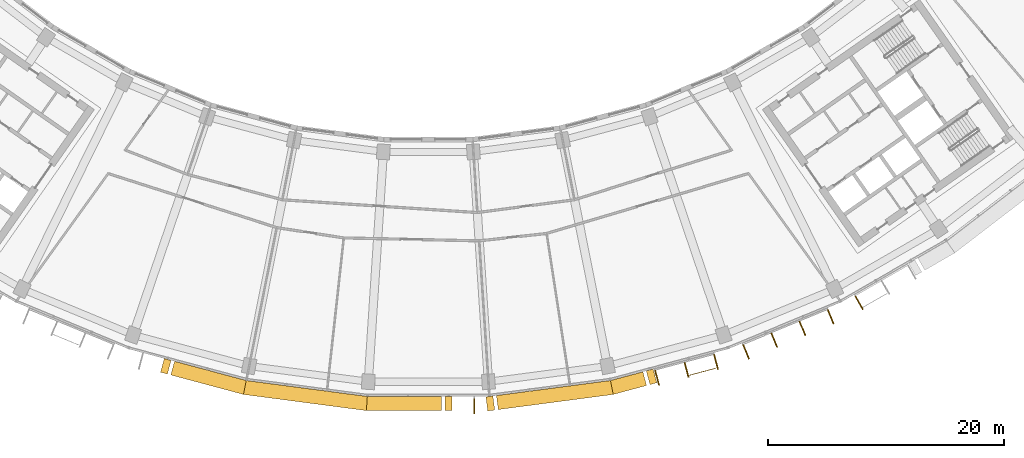
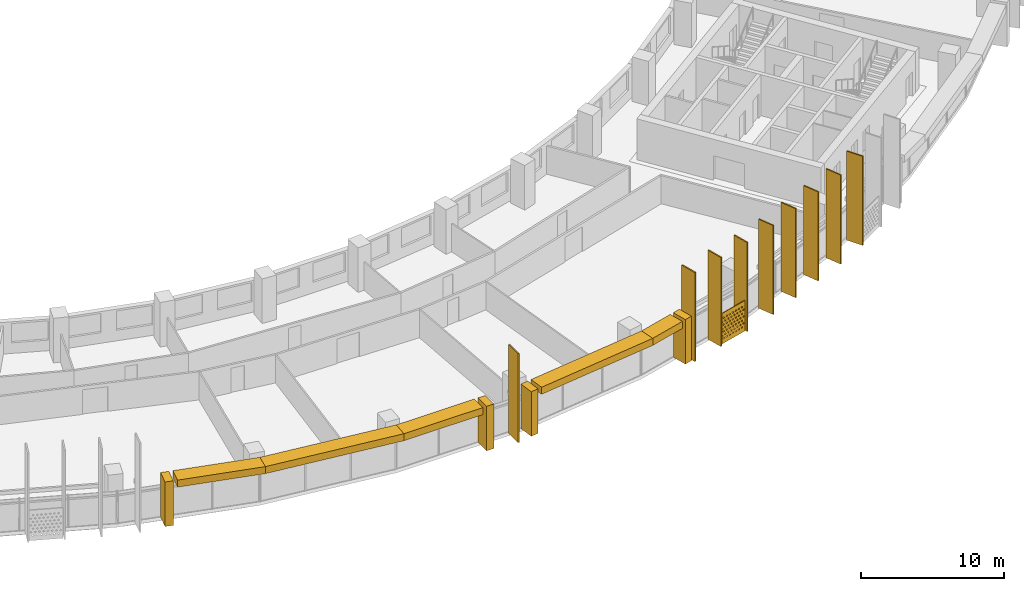
# One storey, part 25 of 27: 19 shading devices.
"""IFC4 building model written with IfcOpenShell, lengths in metres."""

import ifcopenshell
import ifcopenshell.guid

model = None  # the IFC model being written
_history = None  # IfcOwnerHistory: only IFC2X3 demands one
_inside = {}  # id of a spatial element -> (the spatial element, [elements in it])
_under = {}  # id of a project, library or spatial element -> (it, [spatial elements below it])
_declared = {}  # id of a project -> (the project, [libraries it declares])
_typed = {}  # id of a type object -> (the type object, [elements of that type])
_made_of = {}  # id of a material, layer set ... -> (it, [elements and type objects made of it])


def new_model(schema):
    """Start an empty IFC model of exactly this schema.

    Asked for "IFC4X3", IfcOpenShell would pick the latest addendum, in which some entities
    have other attributes; the version numbers below select the first issue.
    IFC2X3 requires an IfcOwnerHistory on every rooted entity: one is made here for all.
    """
    global model, _history
    if schema == "IFC4X3":
        model = ifcopenshell.file(schema_version=(4, 3, 0, 0))
    else:
        model = ifcopenshell.file(schema=schema)
    _inside.clear()
    _under.clear()
    _declared.clear()
    _typed.clear()
    _made_of.clear()
    _history = None
    if model.schema == "IFC2X3":
        org = make("IfcOrganization", Name="unknown")
        user = make(
            "IfcPersonAndOrganization",
            ThePerson=make("IfcPerson", FamilyName="unknown"),
            TheOrganization=org,
        )
        app = make(
            "IfcApplication",
            ApplicationDeveloper=org,
            Version="unknown",
            ApplicationFullName="unknown",
            ApplicationIdentifier="unknown",
        )
        _history = make(
            "IfcOwnerHistory",
            OwningUser=user,
            OwningApplication=app,
            ChangeAction="ADDED",
            CreationDate=0,
        )
    return model


def make(cls, **values):
    """One entity of the class cls with the attributes given. An attribute that is None is left unset."""
    return model.create_entity(
        cls, **{name: value for name, value in values.items() if value is not None}
    )


def rooted(cls, **values):
    """An entity with a GlobalId (a new one), such as an element, a storey or a relation."""
    return make(cls, GlobalId=ifcopenshell.guid.new(), OwnerHistory=_history, **values)


def si_unit(unit_type, name, prefix=None):
    """IfcSIUnit, for example si_unit("LENGTHUNIT", "METRE", prefix="MILLI")."""
    return make("IfcSIUnit", UnitType=unit_type, Prefix=prefix, Name=name)


def assignment(units):
    """IfcUnitAssignment: the units of a project."""
    return None if units is None else make("IfcUnitAssignment", Units=units)


def point(xyz):
    """IfcCartesianPoint."""
    return None if xyz is None else make("IfcCartesianPoint", Coordinates=xyz)


def direction(xyz):
    """IfcDirection."""
    return None if xyz is None else make("IfcDirection", DirectionRatios=xyz)


def frame(location, z_axis=None, x_axis=None):
    """IfcAxis2Placement3D, a coordinate frame: its origin and axes. An axis left out is left unset."""
    return make(
        "IfcAxis2Placement3D",
        Location=point(location),
        Axis=direction(z_axis),
        RefDirection=direction(x_axis),
    )


def frame_2d(location, x_axis=None):
    """IfcAxis2Placement2D, a coordinate frame in the plane: its origin and x axis."""
    return make(
        "IfcAxis2Placement2D", Location=point(location), RefDirection=direction(x_axis)
    )


def origin():
    """The frame at (0, 0, 0) with its axes left unset."""
    return frame((0.0, 0.0, 0.0))


def origin_2d():
    """The frame at (0, 0) in the plane with its x axis left unset."""
    return frame_2d((0.0, 0.0))


def place(relative_to, where):
    """IfcLocalPlacement: puts the frame where relative to a parent placement (None: the world)."""
    return make(
        "IfcLocalPlacement", PlacementRelTo=relative_to, RelativePlacement=where
    )


def context(
    kind, dimensions, precision=None, world=None, true_north=None, identifier=None
):
    """IfcGeometricRepresentationContext, for example the 3D "Model" context."""
    return make(
        "IfcGeometricRepresentationContext",
        ContextIdentifier=identifier,
        ContextType=kind,
        CoordinateSpaceDimension=dimensions,
        Precision=precision,
        WorldCoordinateSystem=world,
        TrueNorth=true_north,
    )


def subcontext(parent, identifier, kind, view, scale=None):
    """IfcGeometricRepresentationSubContext, for example "Body" below "Model"."""
    return make(
        "IfcGeometricRepresentationSubContext",
        ContextIdentifier=identifier,
        ContextType=kind,
        ParentContext=parent,
        TargetScale=scale,
        TargetView=view,
    )


def project(units=None, contexts=None):
    """IfcProject with its units and contexts."""
    return rooted(
        "IfcProject",
        Name="project",
        RepresentationContexts=contexts,
        UnitsInContext=assignment(units),
    )


def spatial(cls, under=None, at=None, **own):
    """A site, building, storey or space (cls), placed at a placement, below another one or the project."""
    s = rooted(cls, ObjectPlacement=at, **own)
    if under is not None:
        _under.setdefault(under.id(), (under, []))[1].append(s)
    return s


def polyline(points):
    """IfcPolyline through the points."""
    return make("IfcPolyline", Points=[point(p) for p in points])


def profile(cls, at=None, kind="AREA", **sizes):
    """A parametric profile (cls). Its sizes go by their IFC names, for example OverallWidth=200.0."""
    return make(cls, ProfileType=kind, Position=at, **sizes)


def rectangle(**sizes):
    """IfcRectangleProfileDef."""
    return profile("IfcRectangleProfileDef", **sizes)


def outline(outer, holes=None, kind="AREA"):
    """IfcArbitraryClosedProfileDef: a profile drawn as a closed curve; with holes, ...WithVoids."""
    if holes is None:
        return make("IfcArbitraryClosedProfileDef", ProfileType=kind, OuterCurve=outer)
    return make(
        "IfcArbitraryProfileDefWithVoids",
        ProfileType=kind,
        OuterCurve=outer,
        InnerCurves=holes,
    )


def extrude(swept, where, along, depth):
    """IfcExtrudedAreaSolid: the profile swept, set in the frame where, extruded along a direction by depth."""
    return make(
        "IfcExtrudedAreaSolid",
        SweptArea=swept,
        Position=where,
        ExtrudedDirection=direction(along),
        Depth=depth,
    )


def shape(context_of_items, identifier, shape_type, items):
    """IfcShapeRepresentation: the items that make up one representation, for example the "Body"."""
    return make(
        "IfcShapeRepresentation",
        ContextOfItems=context_of_items,
        RepresentationIdentifier=identifier,
        RepresentationType=shape_type,
        Items=items,
    )


def material(Name=None, Category=None):
    """IfcMaterial."""
    return make("IfcMaterial", Name=Name, Category=Category)


def material_profile(
    of_material, cross_section, Name=None, Category=None, Priority=None
):
    """IfcMaterialProfile: a cross section and its material."""
    return make(
        "IfcMaterialProfile",
        Name=Name,
        Material=of_material,
        Profile=cross_section,
        Priority=Priority,
        Category=Category,
    )


def profile_set(profiles, Name=None, composite=None):
    """IfcMaterialProfileSet."""
    return make(
        "IfcMaterialProfileSet",
        Name=Name,
        MaterialProfiles=profiles,
        CompositeProfile=composite,
    )


def made_of(thing, what):
    """Note that an element or type object is made of a material, layer set ...; save() writes the relation."""
    if what is not None:
        _made_of.setdefault(what.id(), (what, []))[1].append(thing)
    return thing


def type_object(cls, material=None, **own):
    """A type object (cls), such as IfcWallType, which elements share."""
    return made_of(rooted(cls, **own), material)


def element(
    cls,
    number,
    at=None,
    inside=None,
    cuts=None,
    type_object=None,
    material=None,
    context=None,
    identifier="Body",
    shape_type=None,
    held_by="IfcProductDefinitionShape",
    body=None,
    shapes=None,
    **own,
):
    """One element of the class cls, such as IfcWall. Its Tag is "e" and its number.

    at: its placement. inside: the storey or other place that contains it. cuts: it is an
    opening in that element (IfcRelVoidsElement). A single representation is given by context,
    identifier, shape_type and body (its items); several are given by shapes. held_by: the class
    of the entity that holds the representations. save() writes the other relations.
    """
    e = rooted(cls, Tag="e%d" % number, ObjectPlacement=at, **own)
    if body is not None:
        shapes = [shape(context, identifier, shape_type, body)]
    if shapes is not None:
        e.Representation = make(held_by, Representations=shapes)
    if inside is not None:
        _inside.setdefault(inside.id(), (inside, []))[1].append(e)
    if cuts is not None:
        rooted(
            "IfcRelVoidsElement", RelatingBuildingElement=cuts, RelatedOpeningElement=e
        )
    if type_object is not None:
        _typed.setdefault(type_object.id(), (type_object, []))[1].append(e)
    return made_of(e, material)


def aggregate(whole, parts):
    """IfcRelAggregates: a whole, such as a stair, and the parts it consists of."""
    return rooted("IfcRelAggregates", RelatingObject=whole, RelatedObjects=parts)


def save(model, path):
    """Write the relations noted so far, then the file.

    IfcRelAggregates (storeys below a building ...), IfcRelContainedInSpatialStructure (elements
    in a storey), IfcRelDefinesByType, IfcRelAssociatesMaterial and IfcRelDeclares: one each for
    every whole, place, type object, material and project.
    """
    for whole, parts in _under.values():
        aggregate(whole, parts)
    for where, things in _inside.values():
        rooted(
            "IfcRelContainedInSpatialStructure",
            RelatedElements=things,
            RelatingStructure=where,
        )
    for kind, things in _typed.values():
        rooted("IfcRelDefinesByType", RelatedObjects=things, RelatingType=kind)
    for what, things in _made_of.values():
        rooted("IfcRelAssociatesMaterial", RelatedObjects=things, RelatingMaterial=what)
    for by, libraries in _declared.values():
        rooted("IfcRelDeclares", RelatingContext=by, RelatedDefinitions=libraries)
    model.write(path)


model = new_model("IFC4")

# Units and contexts
model_context = context("Model", 3, precision=1e-05, world=origin(), true_north=direction((0.0, 1.0)))
body_context = subcontext(model_context, "Body", "Model", "MODEL_VIEW")
ifc_project = project(units=[si_unit("LENGTHUNIT", "METRE"), si_unit("AREAUNIT", "SQUARE_METRE"), si_unit("VOLUMEUNIT", "CUBIC_METRE"), si_unit("PLANEANGLEUNIT", "RADIAN"), si_unit("MASSUNIT", "GRAM", prefix="KILO")], contexts=[model_context])

# Site, building, storey
site_placement = place(None, origin())
site = spatial("IfcSite", under=ifc_project, at=site_placement, CompositionType="ELEMENT")
building_placement = place(site_placement, origin())
building = spatial("IfcBuilding", under=site, at=building_placement, Name="Qamariyya Broadcast Tower", CompositionType="ELEMENT")
storey_placement = place(building_placement, frame((0.0, 0.0, 187.300048828125)))
storey = spatial("IfcBuildingStorey", under=building, at=storey_placement, Name="L44", CompositionType="ELEMENT", Elevation=187.300048828125)

# Shading devices
ifc_material_1 = material(Name="Steel S355 powder coated deep red", Category="steel")
shading_device_type_1 = type_object("IfcShadingDeviceType", Name="Deep red frame, powder coated steel box section", PredefinedType="USERDEFINED", material=ifc_material_1)
shading_device_1_placement = place(storey_placement, origin())
element("IfcShadingDevice", 1, at=shading_device_1_placement, inside=storey, type_object=shading_device_type_1, Name="e-frm-B3-F2-posta-L44", ObjectType="FRAME", PredefinedType="USERDEFINED", context=body_context, shape_type="SweptSolid", body=[
    extrude(outline(polyline([(-22.356201171875, -75.621337890625), (-22.6669921875, -76.780517578125), (-22.08740234375, -76.935791015625), (-21.77685546875, -75.776611328125), (-22.356201171875, -75.621337890625)])), origin(), (0.0, 0.0, 1.0), 3.800048828125),
])
shading_device_2_placement = place(storey_placement, origin())
element("IfcShadingDevice", 2, at=shading_device_2_placement, inside=storey, type_object=shading_device_type_1, Name="e-frm-B3-F2-postb-L44", ObjectType="FRAME", PredefinedType="USERDEFINED", context=body_context, shape_type="SweptSolid", body=[
    extrude(outline(polyline([(1.42236328125, -78.830810546875), (1.42236328125, -80.03076171875), (2.022216796875, -80.03076171875), (2.022216796875, -78.830810546875), (1.42236328125, -78.830810546875)])), origin(), (0.0, 0.0, 1.0), 3.800048828125),
])
shading_device_3_placement = place(storey_placement, frame((0.0, 0.0, 3.199951171875)))
element("IfcShadingDevice", 3, at=shading_device_3_placement, inside=storey, type_object=shading_device_type_1, Name="e-frm-B3-F2-top0", ObjectType="FRAME", PredefinedType="USERDEFINED", context=body_context, shape_type="SweptSolid", body=[
    extrude(outline(polyline([(-21.487060546875, -75.854248046875), (-21.797607421875, -77.013427734375), (-15.646728515625, -78.66162109375), (-15.412109375, -77.48193359375), (-21.487060546875, -75.854248046875)])), origin(), (0.0, 0.0, 1.0), 0.60009765625),
])
shading_device_4_placement = place(storey_placement, frame((0.0, 0.0, 3.199951171875)))
element("IfcShadingDevice", 4, at=shading_device_4_placement, inside=storey, type_object=shading_device_type_1, Name="e-frm-B3-F2-top1", ObjectType="FRAME", PredefinedType="USERDEFINED", context=body_context, shape_type="SweptSolid", body=[
    extrude(outline(polyline([(-15.412109375, -77.48193359375), (-15.646728515625, -78.66162109375), (-5.24560546875, -80.03076171875), (-5.166748046875, -78.830810546875), (-15.412109375, -77.48193359375)])), origin(), (0.0, 0.0, 1.0), 0.60009765625),
])
shading_device_5_placement = place(storey_placement, frame((0.0, 0.0, 3.199951171875)))
element("IfcShadingDevice", 5, at=shading_device_5_placement, inside=storey, type_object=shading_device_type_1, Name="e-frm-B3-F2-top2", ObjectType="FRAME", PredefinedType="USERDEFINED", context=body_context, shape_type="SweptSolid", body=[
    extrude(outline(polyline([(-5.166748046875, -78.830810546875), (-5.24560546875, -80.03076171875), (1.122314453125, -80.03076171875), (1.122314453125, -78.830810546875), (-5.166748046875, -78.830810546875)])), origin(), (0.0, 0.0, 1.0), 0.60009765625),
])
shading_device_6_placement = place(storey_placement, origin())
element("IfcShadingDevice", 6, at=shading_device_6_placement, inside=storey, type_object=shading_device_type_1, Name="e-frm-B3-F3-posta-L44", ObjectType="FRAME", PredefinedType="USERDEFINED", context=body_context, shape_type="SweptSolid", body=[
    extrude(outline(polyline([(4.869384765625, -78.8701171875), (5.026123046875, -80.059814453125), (5.620849609375, -79.9814453125), (5.46435546875, -78.791748046875), (4.869384765625, -78.8701171875)])), origin(), (0.0, 0.0, 1.0), 3.800048828125),
])
shading_device_7_placement = place(storey_placement, origin())
element("IfcShadingDevice", 7, at=shading_device_7_placement, inside=storey, type_object=shading_device_type_1, Name="e-frm-B3-F3-postb-L44", ObjectType="FRAME", PredefinedType="USERDEFINED", context=body_context, shape_type="SweptSolid", body=[
    extrude(outline(polyline([(18.449462890625, -76.668212890625), (18.76025390625, -77.827392578125), (19.339599609375, -77.671875), (19.029052734375, -76.512939453125), (18.449462890625, -76.668212890625)])), origin(), (0.0, 0.0, 1.0), 3.800048828125),
])
shading_device_8_placement = place(storey_placement, frame((0.0, 0.0, 3.199951171875)))
element("IfcShadingDevice", 8, at=shading_device_8_placement, inside=storey, type_object=shading_device_type_1, Name="e-frm-B3-F3-top0", ObjectType="FRAME", PredefinedType="USERDEFINED", context=body_context, shape_type="SweptSolid", body=[
    extrude(outline(polyline([(5.76171875, -78.75244140625), (5.91845703125, -79.9423828125), (15.646728515625, -78.66162109375), (15.412109375, -77.48193359375), (5.76171875, -78.75244140625)])), origin(), (0.0, 0.0, 1.0), 0.60009765625),
])
shading_device_9_placement = place(storey_placement, frame((0.0, 0.0, 3.199951171875)))
element("IfcShadingDevice", 9, at=shading_device_9_placement, inside=storey, type_object=shading_device_type_1, Name="e-frm-B3-F3-top1", ObjectType="FRAME", PredefinedType="USERDEFINED", context=body_context, shape_type="SweptSolid", body=[
    extrude(outline(polyline([(15.412109375, -77.48193359375), (15.646728515625, -78.66162109375), (18.470458984375, -77.905029296875), (18.15966796875, -76.745849609375), (15.412109375, -77.48193359375)])), origin(), (0.0, 0.0, 1.0), 0.60009765625),
])
ifc_material_2 = material(Name="Perforated glazed terracotta", Category="masonry")
ifc_material_profile_1 = material_profile(ifc_material_2, outline(polyline([(-1.199951171875, -1.300048828125), (1.199951171875, -1.300048828125), (1.199951171875, 1.300048828125), (-1.199951171875, 1.300048828125), (-1.199951171875, -1.300048828125)]), holes=[polyline([(-0.81494140625, -0.86669921875), (-0.89990234375, -0.78173828125), (-0.985107421875, -0.86669921875), (-0.89990234375, -0.95166015625), (-0.81494140625, -0.86669921875)]), polyline([(-0.514892578125, -0.86669921875), (-0.60009765625, -0.78173828125), (-0.68505859375, -0.86669921875), (-0.60009765625, -0.95166015625), (-0.514892578125, -0.86669921875)]), polyline([(-0.215087890625, -0.86669921875), (-0.300048828125, -0.78173828125), (-0.385009765625, -0.86669921875), (-0.300048828125, -0.95166015625), (-0.215087890625, -0.86669921875)]), polyline([(0.0849609375, -0.86669921875), (0.0, -0.78173828125), (-0.0849609375, -0.86669921875), (0.0, -0.95166015625), (0.0849609375, -0.86669921875)]), polyline([(0.385009765625, -0.86669921875), (0.300048828125, -0.78173828125), (0.215087890625, -0.86669921875), (0.300048828125, -0.95166015625), (0.385009765625, -0.86669921875)]), polyline([(0.68505859375, -0.86669921875), (0.60009765625, -0.78173828125), (0.514892578125, -0.86669921875), (0.60009765625, -0.95166015625), (0.68505859375, -0.86669921875)]), polyline([(0.985107421875, -0.86669921875), (0.89990234375, -0.78173828125), (0.81494140625, -0.86669921875), (0.89990234375, -0.95166015625), (0.985107421875, -0.86669921875)]), polyline([(-0.965087890625, -0.577880859375), (-1.050048828125, -0.49267578125), (-1.135009765625, -0.577880859375), (-1.050048828125, -0.662841796875), (-0.965087890625, -0.577880859375)]), polyline([(-0.6650390625, -0.577880859375), (-0.75, -0.49267578125), (-0.8349609375, -0.577880859375), (-0.75, -0.662841796875), (-0.6650390625, -0.577880859375)]), polyline([(-0.364990234375, -0.577880859375), (-0.449951171875, -0.49267578125), (-0.534912109375, -0.577880859375), (-0.449951171875, -0.662841796875), (-0.364990234375, -0.577880859375)]), polyline([(-0.06494140625, -0.577880859375), (-0.14990234375, -0.49267578125), (-0.235107421875, -0.577880859375), (-0.14990234375, -0.662841796875), (-0.06494140625, -0.577880859375)]), polyline([(0.235107421875, -0.577880859375), (0.14990234375, -0.49267578125), (0.06494140625, -0.577880859375), (0.14990234375, -0.662841796875), (0.235107421875, -0.577880859375)]), polyline([(0.534912109375, -0.577880859375), (0.449951171875, -0.49267578125), (0.364990234375, -0.577880859375), (0.449951171875, -0.662841796875), (0.534912109375, -0.577880859375)]), polyline([(0.8349609375, -0.577880859375), (0.75, -0.49267578125), (0.6650390625, -0.577880859375), (0.75, -0.662841796875), (0.8349609375, -0.577880859375)]), polyline([(1.135009765625, -0.577880859375), (1.050048828125, -0.49267578125), (0.965087890625, -0.577880859375), (1.050048828125, -0.662841796875), (1.135009765625, -0.577880859375)]), polyline([(-0.81494140625, -0.288818359375), (-0.89990234375, -0.203857421875), (-0.985107421875, -0.288818359375), (-0.89990234375, -0.373779296875), (-0.81494140625, -0.288818359375)]), polyline([(-0.514892578125, -0.288818359375), (-0.60009765625, -0.203857421875), (-0.68505859375, -0.288818359375), (-0.60009765625, -0.373779296875), (-0.514892578125, -0.288818359375)]), polyline([(-0.215087890625, -0.288818359375), (-0.300048828125, -0.203857421875), (-0.385009765625, -0.288818359375), (-0.300048828125, -0.373779296875), (-0.215087890625, -0.288818359375)]), polyline([(0.0849609375, -0.288818359375), (0.0, -0.203857421875), (-0.0849609375, -0.288818359375), (0.0, -0.373779296875), (0.0849609375, -0.288818359375)]), polyline([(0.385009765625, -0.288818359375), (0.300048828125, -0.203857421875), (0.215087890625, -0.288818359375), (0.300048828125, -0.373779296875), (0.385009765625, -0.288818359375)]), polyline([(0.68505859375, -0.288818359375), (0.60009765625, -0.203857421875), (0.514892578125, -0.288818359375), (0.60009765625, -0.373779296875), (0.68505859375, -0.288818359375)]), polyline([(0.985107421875, -0.288818359375), (0.89990234375, -0.203857421875), (0.81494140625, -0.288818359375), (0.89990234375, -0.373779296875), (0.985107421875, -0.288818359375)]), polyline([(-0.965087890625, 0.0), (-1.050048828125, 0.0849609375), (-1.135009765625, 0.0), (-1.050048828125, -0.0849609375), (-0.965087890625, 0.0)]), polyline([(-0.6650390625, 0.0), (-0.75, 0.0849609375), (-0.8349609375, 0.0), (-0.75, -0.0849609375), (-0.6650390625, 0.0)]), polyline([(-0.364990234375, 0.0), (-0.449951171875, 0.0849609375), (-0.534912109375, 0.0), (-0.449951171875, -0.0849609375), (-0.364990234375, 0.0)]), polyline([(-0.06494140625, 0.0), (-0.14990234375, 0.0849609375), (-0.235107421875, 0.0), (-0.14990234375, -0.0849609375), (-0.06494140625, 0.0)]), polyline([(0.235107421875, 0.0), (0.14990234375, 0.0849609375), (0.06494140625, 0.0), (0.14990234375, -0.0849609375), (0.235107421875, 0.0)]), polyline([(0.534912109375, 0.0), (0.449951171875, 0.0849609375), (0.364990234375, 0.0), (0.449951171875, -0.0849609375), (0.534912109375, 0.0)]), polyline([(0.8349609375, 0.0), (0.75, 0.0849609375), (0.6650390625, 0.0), (0.75, -0.0849609375), (0.8349609375, 0.0)]), polyline([(1.135009765625, 0.0), (1.050048828125, 0.0849609375), (0.965087890625, 0.0), (1.050048828125, -0.0849609375), (1.135009765625, 0.0)]), polyline([(-0.81494140625, 0.288818359375), (-0.89990234375, 0.373779296875), (-0.985107421875, 0.288818359375), (-0.89990234375, 0.203857421875), (-0.81494140625, 0.288818359375)]), polyline([(-0.514892578125, 0.288818359375), (-0.60009765625, 0.373779296875), (-0.68505859375, 0.288818359375), (-0.60009765625, 0.203857421875), (-0.514892578125, 0.288818359375)]), polyline([(-0.215087890625, 0.288818359375), (-0.300048828125, 0.373779296875), (-0.385009765625, 0.288818359375), (-0.300048828125, 0.203857421875), (-0.215087890625, 0.288818359375)]), polyline([(0.0849609375, 0.288818359375), (0.0, 0.373779296875), (-0.0849609375, 0.288818359375), (0.0, 0.203857421875), (0.0849609375, 0.288818359375)]), polyline([(0.385009765625, 0.288818359375), (0.300048828125, 0.373779296875), (0.215087890625, 0.288818359375), (0.300048828125, 0.203857421875), (0.385009765625, 0.288818359375)]), polyline([(0.68505859375, 0.288818359375), (0.60009765625, 0.373779296875), (0.514892578125, 0.288818359375), (0.60009765625, 0.203857421875), (0.68505859375, 0.288818359375)]), polyline([(0.985107421875, 0.288818359375), (0.89990234375, 0.373779296875), (0.81494140625, 0.288818359375), (0.89990234375, 0.203857421875), (0.985107421875, 0.288818359375)]), polyline([(-0.965087890625, 0.577880859375), (-1.050048828125, 0.662841796875), (-1.135009765625, 0.577880859375), (-1.050048828125, 0.49267578125), (-0.965087890625, 0.577880859375)]), polyline([(-0.6650390625, 0.577880859375), (-0.75, 0.662841796875), (-0.8349609375, 0.577880859375), (-0.75, 0.49267578125), (-0.6650390625, 0.577880859375)]), polyline([(-0.364990234375, 0.577880859375), (-0.449951171875, 0.662841796875), (-0.534912109375, 0.577880859375), (-0.449951171875, 0.49267578125), (-0.364990234375, 0.577880859375)]), polyline([(-0.06494140625, 0.577880859375), (-0.14990234375, 0.662841796875), (-0.235107421875, 0.577880859375), (-0.14990234375, 0.49267578125), (-0.06494140625, 0.577880859375)]), polyline([(0.235107421875, 0.577880859375), (0.14990234375, 0.662841796875), (0.06494140625, 0.577880859375), (0.14990234375, 0.49267578125), (0.235107421875, 0.577880859375)]), polyline([(0.534912109375, 0.577880859375), (0.449951171875, 0.662841796875), (0.364990234375, 0.577880859375), (0.449951171875, 0.49267578125), (0.534912109375, 0.577880859375)]), polyline([(0.8349609375, 0.577880859375), (0.75, 0.662841796875), (0.6650390625, 0.577880859375), (0.75, 0.49267578125), (0.8349609375, 0.577880859375)]), polyline([(1.135009765625, 0.577880859375), (1.050048828125, 0.662841796875), (0.965087890625, 0.577880859375), (1.050048828125, 0.49267578125), (1.135009765625, 0.577880859375)]), polyline([(-0.81494140625, 0.86669921875), (-0.89990234375, 0.95166015625), (-0.985107421875, 0.86669921875), (-0.89990234375, 0.78173828125), (-0.81494140625, 0.86669921875)]), polyline([(-0.514892578125, 0.86669921875), (-0.60009765625, 0.95166015625), (-0.68505859375, 0.86669921875), (-0.60009765625, 0.78173828125), (-0.514892578125, 0.86669921875)]), polyline([(-0.215087890625, 0.86669921875), (-0.300048828125, 0.95166015625), (-0.385009765625, 0.86669921875), (-0.300048828125, 0.78173828125), (-0.215087890625, 0.86669921875)]), polyline([(0.0849609375, 0.86669921875), (0.0, 0.95166015625), (-0.0849609375, 0.86669921875), (0.0, 0.78173828125), (0.0849609375, 0.86669921875)]), polyline([(0.385009765625, 0.86669921875), (0.300048828125, 0.95166015625), (0.215087890625, 0.86669921875), (0.300048828125, 0.78173828125), (0.385009765625, 0.86669921875)]), polyline([(0.68505859375, 0.86669921875), (0.60009765625, 0.95166015625), (0.514892578125, 0.86669921875), (0.60009765625, 0.78173828125), (0.68505859375, 0.86669921875)]), polyline([(0.985107421875, 0.86669921875), (0.89990234375, 0.95166015625), (0.81494140625, 0.86669921875), (0.89990234375, 0.78173828125), (0.985107421875, 0.86669921875)])]))
ifc_profile_set_1 = profile_set([ifc_material_profile_1], Name="Perforated glazed terracotta")
shading_device_type_2 = type_object("IfcShadingDeviceType", Name="Perforated terracotta screen 2400 x 2600", PredefinedType="USERDEFINED", material=ifc_profile_set_1)
shading_device_10_placement = place(storey_placement, frame((23.186767578125, -76.713623046875, 1.349853515625), z_axis=(0.256901156343, -0.966437683387, 0.0), x_axis=(0.966437683387, 0.256901156343, 0.0)))
element("IfcShadingDevice", 10, at=shading_device_10_placement, inside=storey, type_object=shading_device_type_2, Name="e-scr-L44-09-2", ObjectType="SCREEN", PredefinedType="USERDEFINED", context=body_context, shape_type="SweptSolid", body=[
    extrude(outline(polyline([(-1.199951171875, -1.300048828125), (1.199951171875, -1.300048828125), (1.199951171875, 1.300048828125), (-1.199951171875, 1.300048828125), (-1.199951171875, -1.300048828125)]), holes=[polyline([(-0.81494140625, -0.86669921875), (-0.89990234375, -0.78173828125), (-0.985107421875, -0.86669921875), (-0.89990234375, -0.95166015625), (-0.81494140625, -0.86669921875)]), polyline([(-0.514892578125, -0.86669921875), (-0.60009765625, -0.78173828125), (-0.68505859375, -0.86669921875), (-0.60009765625, -0.95166015625), (-0.514892578125, -0.86669921875)]), polyline([(-0.215087890625, -0.86669921875), (-0.300048828125, -0.78173828125), (-0.385009765625, -0.86669921875), (-0.300048828125, -0.95166015625), (-0.215087890625, -0.86669921875)]), polyline([(0.0849609375, -0.86669921875), (0.0, -0.78173828125), (-0.0849609375, -0.86669921875), (0.0, -0.95166015625), (0.0849609375, -0.86669921875)]), polyline([(0.385009765625, -0.86669921875), (0.300048828125, -0.78173828125), (0.215087890625, -0.86669921875), (0.300048828125, -0.95166015625), (0.385009765625, -0.86669921875)]), polyline([(0.68505859375, -0.86669921875), (0.60009765625, -0.78173828125), (0.514892578125, -0.86669921875), (0.60009765625, -0.95166015625), (0.68505859375, -0.86669921875)]), polyline([(0.985107421875, -0.86669921875), (0.89990234375, -0.78173828125), (0.81494140625, -0.86669921875), (0.89990234375, -0.95166015625), (0.985107421875, -0.86669921875)]), polyline([(-0.965087890625, -0.577880859375), (-1.050048828125, -0.49267578125), (-1.135009765625, -0.577880859375), (-1.050048828125, -0.662841796875), (-0.965087890625, -0.577880859375)]), polyline([(-0.6650390625, -0.577880859375), (-0.75, -0.49267578125), (-0.8349609375, -0.577880859375), (-0.75, -0.662841796875), (-0.6650390625, -0.577880859375)]), polyline([(-0.364990234375, -0.577880859375), (-0.449951171875, -0.49267578125), (-0.534912109375, -0.577880859375), (-0.449951171875, -0.662841796875), (-0.364990234375, -0.577880859375)]), polyline([(-0.06494140625, -0.577880859375), (-0.14990234375, -0.49267578125), (-0.235107421875, -0.577880859375), (-0.14990234375, -0.662841796875), (-0.06494140625, -0.577880859375)]), polyline([(0.235107421875, -0.577880859375), (0.14990234375, -0.49267578125), (0.06494140625, -0.577880859375), (0.14990234375, -0.662841796875), (0.235107421875, -0.577880859375)]), polyline([(0.534912109375, -0.577880859375), (0.449951171875, -0.49267578125), (0.364990234375, -0.577880859375), (0.449951171875, -0.662841796875), (0.534912109375, -0.577880859375)]), polyline([(0.8349609375, -0.577880859375), (0.75, -0.49267578125), (0.6650390625, -0.577880859375), (0.75, -0.662841796875), (0.8349609375, -0.577880859375)]), polyline([(1.135009765625, -0.577880859375), (1.050048828125, -0.49267578125), (0.965087890625, -0.577880859375), (1.050048828125, -0.662841796875), (1.135009765625, -0.577880859375)]), polyline([(-0.81494140625, -0.288818359375), (-0.89990234375, -0.203857421875), (-0.985107421875, -0.288818359375), (-0.89990234375, -0.373779296875), (-0.81494140625, -0.288818359375)]), polyline([(-0.514892578125, -0.288818359375), (-0.60009765625, -0.203857421875), (-0.68505859375, -0.288818359375), (-0.60009765625, -0.373779296875), (-0.514892578125, -0.288818359375)]), polyline([(-0.215087890625, -0.288818359375), (-0.300048828125, -0.203857421875), (-0.385009765625, -0.288818359375), (-0.300048828125, -0.373779296875), (-0.215087890625, -0.288818359375)]), polyline([(0.0849609375, -0.288818359375), (0.0, -0.203857421875), (-0.0849609375, -0.288818359375), (0.0, -0.373779296875), (0.0849609375, -0.288818359375)]), polyline([(0.385009765625, -0.288818359375), (0.300048828125, -0.203857421875), (0.215087890625, -0.288818359375), (0.300048828125, -0.373779296875), (0.385009765625, -0.288818359375)]), polyline([(0.68505859375, -0.288818359375), (0.60009765625, -0.203857421875), (0.514892578125, -0.288818359375), (0.60009765625, -0.373779296875), (0.68505859375, -0.288818359375)]), polyline([(0.985107421875, -0.288818359375), (0.89990234375, -0.203857421875), (0.81494140625, -0.288818359375), (0.89990234375, -0.373779296875), (0.985107421875, -0.288818359375)]), polyline([(-0.965087890625, 0.0), (-1.050048828125, 0.0849609375), (-1.135009765625, 0.0), (-1.050048828125, -0.0849609375), (-0.965087890625, 0.0)]), polyline([(-0.6650390625, 0.0), (-0.75, 0.0849609375), (-0.8349609375, 0.0), (-0.75, -0.0849609375), (-0.6650390625, 0.0)]), polyline([(-0.364990234375, 0.0), (-0.449951171875, 0.0849609375), (-0.534912109375, 0.0), (-0.449951171875, -0.0849609375), (-0.364990234375, 0.0)]), polyline([(-0.06494140625, 0.0), (-0.14990234375, 0.0849609375), (-0.235107421875, 0.0), (-0.14990234375, -0.0849609375), (-0.06494140625, 0.0)]), polyline([(0.235107421875, 0.0), (0.14990234375, 0.0849609375), (0.06494140625, 0.0), (0.14990234375, -0.0849609375), (0.235107421875, 0.0)]), polyline([(0.534912109375, 0.0), (0.449951171875, 0.0849609375), (0.364990234375, 0.0), (0.449951171875, -0.0849609375), (0.534912109375, 0.0)]), polyline([(0.8349609375, 0.0), (0.75, 0.0849609375), (0.6650390625, 0.0), (0.75, -0.0849609375), (0.8349609375, 0.0)]), polyline([(1.135009765625, 0.0), (1.050048828125, 0.0849609375), (0.965087890625, 0.0), (1.050048828125, -0.0849609375), (1.135009765625, 0.0)]), polyline([(-0.81494140625, 0.288818359375), (-0.89990234375, 0.373779296875), (-0.985107421875, 0.288818359375), (-0.89990234375, 0.203857421875), (-0.81494140625, 0.288818359375)]), polyline([(-0.514892578125, 0.288818359375), (-0.60009765625, 0.373779296875), (-0.68505859375, 0.288818359375), (-0.60009765625, 0.203857421875), (-0.514892578125, 0.288818359375)]), polyline([(-0.215087890625, 0.288818359375), (-0.300048828125, 0.373779296875), (-0.385009765625, 0.288818359375), (-0.300048828125, 0.203857421875), (-0.215087890625, 0.288818359375)]), polyline([(0.0849609375, 0.288818359375), (0.0, 0.373779296875), (-0.0849609375, 0.288818359375), (0.0, 0.203857421875), (0.0849609375, 0.288818359375)]), polyline([(0.385009765625, 0.288818359375), (0.300048828125, 0.373779296875), (0.215087890625, 0.288818359375), (0.300048828125, 0.203857421875), (0.385009765625, 0.288818359375)]), polyline([(0.68505859375, 0.288818359375), (0.60009765625, 0.373779296875), (0.514892578125, 0.288818359375), (0.60009765625, 0.203857421875), (0.68505859375, 0.288818359375)]), polyline([(0.985107421875, 0.288818359375), (0.89990234375, 0.373779296875), (0.81494140625, 0.288818359375), (0.89990234375, 0.203857421875), (0.985107421875, 0.288818359375)]), polyline([(-0.965087890625, 0.577880859375), (-1.050048828125, 0.662841796875), (-1.135009765625, 0.577880859375), (-1.050048828125, 0.49267578125), (-0.965087890625, 0.577880859375)]), polyline([(-0.6650390625, 0.577880859375), (-0.75, 0.662841796875), (-0.8349609375, 0.577880859375), (-0.75, 0.49267578125), (-0.6650390625, 0.577880859375)]), polyline([(-0.364990234375, 0.577880859375), (-0.449951171875, 0.662841796875), (-0.534912109375, 0.577880859375), (-0.449951171875, 0.49267578125), (-0.364990234375, 0.577880859375)]), polyline([(-0.06494140625, 0.577880859375), (-0.14990234375, 0.662841796875), (-0.235107421875, 0.577880859375), (-0.14990234375, 0.49267578125), (-0.06494140625, 0.577880859375)]), polyline([(0.235107421875, 0.577880859375), (0.14990234375, 0.662841796875), (0.06494140625, 0.577880859375), (0.14990234375, 0.49267578125), (0.235107421875, 0.577880859375)]), polyline([(0.534912109375, 0.577880859375), (0.449951171875, 0.662841796875), (0.364990234375, 0.577880859375), (0.449951171875, 0.49267578125), (0.534912109375, 0.577880859375)]), polyline([(0.8349609375, 0.577880859375), (0.75, 0.662841796875), (0.6650390625, 0.577880859375), (0.75, 0.49267578125), (0.8349609375, 0.577880859375)]), polyline([(1.135009765625, 0.577880859375), (1.050048828125, 0.662841796875), (0.965087890625, 0.577880859375), (1.050048828125, 0.49267578125), (1.135009765625, 0.577880859375)]), polyline([(-0.81494140625, 0.86669921875), (-0.89990234375, 0.95166015625), (-0.985107421875, 0.86669921875), (-0.89990234375, 0.78173828125), (-0.81494140625, 0.86669921875)]), polyline([(-0.514892578125, 0.86669921875), (-0.60009765625, 0.95166015625), (-0.68505859375, 0.86669921875), (-0.60009765625, 0.78173828125), (-0.514892578125, 0.86669921875)]), polyline([(-0.215087890625, 0.86669921875), (-0.300048828125, 0.95166015625), (-0.385009765625, 0.86669921875), (-0.300048828125, 0.78173828125), (-0.215087890625, 0.86669921875)]), polyline([(0.0849609375, 0.86669921875), (0.0, 0.95166015625), (-0.0849609375, 0.86669921875), (0.0, 0.78173828125), (0.0849609375, 0.86669921875)]), polyline([(0.385009765625, 0.86669921875), (0.300048828125, 0.95166015625), (0.215087890625, 0.86669921875), (0.300048828125, 0.78173828125), (0.385009765625, 0.86669921875)]), polyline([(0.68505859375, 0.86669921875), (0.60009765625, 0.95166015625), (0.514892578125, 0.86669921875), (0.60009765625, 0.78173828125), (0.68505859375, 0.86669921875)]), polyline([(0.985107421875, 0.86669921875), (0.89990234375, 0.95166015625), (0.81494140625, 0.86669921875), (0.89990234375, 0.78173828125), (0.985107421875, 0.86669921875)])]), origin(), (0.0, 0.0, 1.0), 0.059814453125),
])
ifc_material_3 = material(Name="Glazed terracotta", Category="masonry")
ifc_material_profile_2 = material_profile(ifc_material_3, rectangle(XDim=1.300048828125, YDim=0.10009765625, at=origin_2d()))
ifc_profile_set_2 = profile_set([ifc_material_profile_2], Name="Glazed terracotta")
shading_device_type_3 = type_object("IfcShadingDeviceType", Name="Terracotta fin 100 x 1300", PredefinedType="USERDEFINED", material=ifc_profile_set_2)
for number, where, z_axis, x_axis, name in (
    (11, (3.875244140625, -79.630859375, 0.0), (0.0, 0.0, 1.0), (0.0, -1.0, 0.0), "e-fin-L44-07-3"),
    (12, (19.3623046875, -77.251708984375, 0.0), (0.0, 0.0, 1.0), (0.258819045103, -0.965925826289, 0.0), "e-fin-L44-09-1"),
    (13, (21.857666015625, -76.583251953125, 0.0), (0.0, 0.0, 1.0), (0.258819045103, -0.965925826289, 0.0), "e-fin-L44-09-2"),
    (14, (24.35302734375, -75.91455078125, 0.0), (0.0, 0.0, 1.0), (0.258819045103, -0.965925826289, 0.0), "e-fin-L44-09-3"),
    (15, (26.893310546875, -75.05224609375, 0.0), (0.0, 0.0, 1.0), (0.382683432365, -0.923879532511, 0.0), "e-fin-L44-10-0"),
    (16, (29.280029296875, -74.063720703125, 0.0), (0.0, 0.0, 1.0), (0.382683432365, -0.923879532511, 0.0), "e-fin-L44-10-1"),
    (17, (31.666748046875, -73.074951171875, 0.0), (0.0, 0.0, 1.0), (0.382683432365, -0.923879532511, 0.0), "e-fin-L44-10-2"),
    (18, (34.053466796875, -72.08642578125, 0.0), (0.0, 0.0, 1.0), (0.382683432365, -0.923879532511, 0.0), "e-fin-L44-10-3"),
    (19, (36.45947265625, -70.89990234375, 0.0), (0.0, 0.0, 1.0), (0.5, -0.866025403784, 0.0), "e-fin-L44-11-0"),
):
    element("IfcShadingDevice", number, at=place(storey_placement, frame(where, z_axis=z_axis, x_axis=x_axis)), inside=storey, type_object=shading_device_type_3, Name=name, ObjectType="FIN", PredefinedType="USERDEFINED", context=body_context, shape_type="SweptSolid", body=[
        extrude(rectangle(XDim=1.300048828125, YDim=0.10009765625, at=origin_2d()), origin(), (0.0, 0.0, 1.0), 7.599853515625),
    ])

save(model, "model.ifc")
